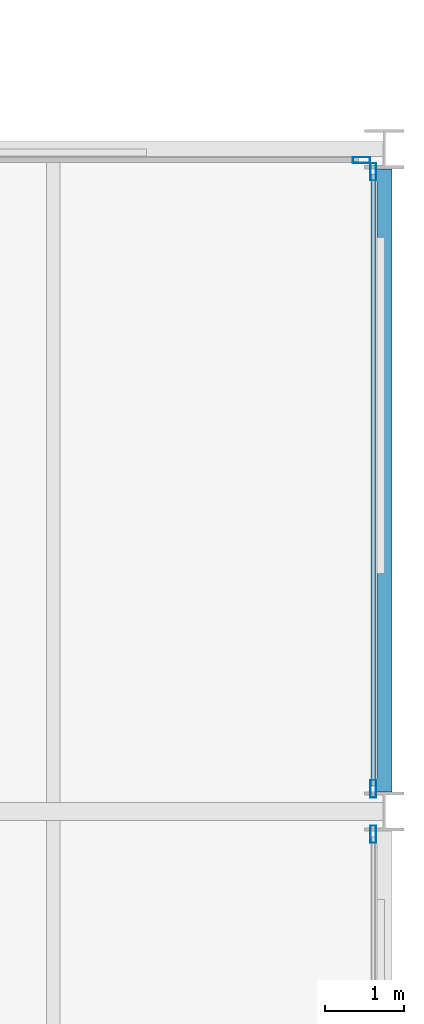
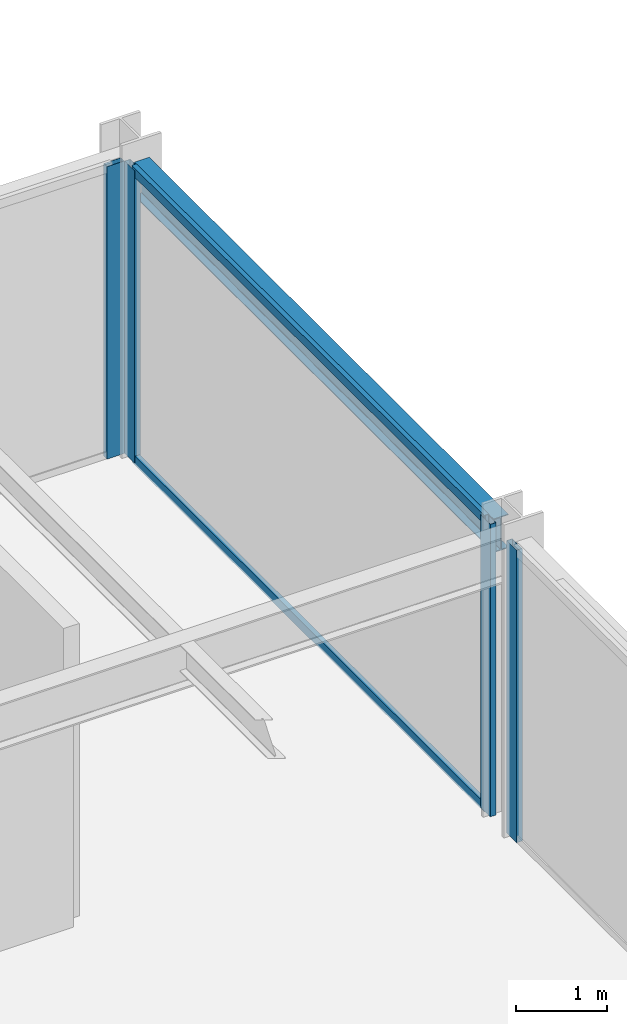
# One storey, part 13 of 24: 6 members, 1 beam, 3 elements without a shape of their own.
"""IFC4 building model written with IfcOpenShell, lengths in metres."""

from ifc_helpers import new_model, si_unit, direction, frame, origin, origin_2d, place, context, subcontext, project, spatial, hollow_rectangle, i_section, extrude, material, layer, layer_set, material_profile, profile_set, type_object, element, aggregate, save


model = new_model("IFC4")

# Units and contexts
model_context = context("Model", 3, precision=1e-05, world=origin(), true_north=direction((0.0, 1.0)))
body_context = subcontext(model_context, "Body", "Model", "MODEL_VIEW")
ifc_project = project(units=[si_unit("LENGTHUNIT", "METRE"), si_unit("AREAUNIT", "SQUARE_METRE"), si_unit("VOLUMEUNIT", "CUBIC_METRE"), si_unit("PLANEANGLEUNIT", "RADIAN"), si_unit("MASSUNIT", "GRAM", prefix="KILO")], contexts=[model_context])

# Site, building, storey
site_placement = place(None, origin())
site = spatial("IfcSite", under=ifc_project, at=site_placement, CompositionType="ELEMENT")
building_placement = place(site_placement, origin())
building = spatial("IfcBuilding", under=site, at=building_placement, Name="Nerrivon Quay Data Exchange", CompositionType="ELEMENT")
storey_placement = place(building_placement, frame((0.0, 0.0, 33.199951171875)))
storey = spatial("IfcBuildingStorey", under=building, at=storey_placement, Name="L07", CompositionType="ELEMENT", Elevation=33.199951171875)

# Beam
ifc_material_1 = material(Name="Steel Grade 350", Category="steel")
ifc_material_profile_1 = material_profile(ifc_material_1, i_section(OverallWidth=0.18994140625, OverallDepth=0.4541015625, WebThickness=0.008544921875, FlangeThickness=0.0126953125, FilletRadius=0.011474609375, at=origin_2d()), Name="460UB67.1")
ifc_profile_set_1 = profile_set([ifc_material_profile_1], Name="Steel Grade 350")
beam_type = type_object("IfcBeamType", Name="BM-SP1-460UB67", PredefinedType="SPANDREL", material=ifc_profile_set_1)
beam_placement = place(storey_placement, frame((50.39990234375, 17.050048828125, 3.697998046875), z_axis=(0.0, 1.0, 0.0), x_axis=(-1.0, 0.0, 0.0)))
element("IfcBeam", 1, at=beam_placement, inside=storey, type_object=beam_type, Name="L07 NS Girder X=50.4 (16.8..25.2)", PredefinedType="SPANDREL", context=body_context, shape_type="SweptSolid", body=[
    extrude(i_section(OverallWidth=0.18994140625, OverallDepth=0.4541015625, WebThickness=0.008544921875, FlangeThickness=0.0126953125, FilletRadius=0.011474609375, at=origin_2d()), origin(), (0.0, 0.0, 1.0), 7.89990234375),
])

# Curtain wall, member
ifc_material_2 = material(Name="Anodised aluminium 6063-T6", Category="aluminium")
ifc_layer = layer(ifc_material_2, 0.219970703125)
ifc_layer_set = layer_set([ifc_layer], Name="Anodised aluminium 6063-T6")
curtain_wall_type = type_object("IfcCurtainWallType", Name="CW-SYS-01", PredefinedType="NOTDEFINED", material=ifc_layer_set)
curtain_wall_1_placement = place(storey_placement, origin())
curtain_wall_1 = element("IfcCurtainWall", 2, at=curtain_wall_1_placement, inside=storey, type_object=curtain_wall_type, Name="L07 Unitised Curtain Wall 30", PredefinedType="NOTDEFINED")
ifc_material_profile_2 = material_profile(ifc_material_2, hollow_rectangle(XDim=0.074951171875, YDim=0.219970703125, WallThickness=0.00390625, at=origin_2d()), Name="ALU-MULL-220x75")
ifc_profile_set_2 = profile_set([ifc_material_profile_2], Name="Anodised aluminium 6063-T6")
member_type_1 = type_object("IfcMemberType", Name="CWM-220x75", PredefinedType="MULLION", material=ifc_profile_set_2)
member_1_placement = place(storey_placement, frame((50.112548828125, 25.06005859375, 0.0), z_axis=(0.0, 0.0, 1.0), x_axis=(0.0, 1.0, 0.0)))
member_1 = element("IfcMember", 3, at=member_1_placement, type_object=member_type_1, Name="CW01 mullion 2", PredefinedType="MULLION", context=body_context, shape_type="SweptSolid", body=[
    extrude(hollow_rectangle(XDim=0.074951171875, YDim=0.219970703125, WallThickness=0.00390625, at=origin_2d()), origin(), (0.0, 0.0, 1.0), 3.925048828125),
])
aggregate(curtain_wall_1, [member_1])

# Curtain wall, members
curtain_wall_2_placement = place(storey_placement, origin())
curtain_wall_2 = element("IfcCurtainWall", 4, at=curtain_wall_2_placement, inside=storey, type_object=curtain_wall_type, Name="L07 Unitised Curtain Wall 31", PredefinedType="NOTDEFINED")
member_2_placement = place(storey_placement, frame((50.260009765625, 24.91259765625, 0.0), z_axis=(0.0, 0.0, 1.0), x_axis=(1.0, 0.0, 0.0)))
member_2 = element("IfcMember", 5, at=member_2_placement, type_object=member_type_1, Name="CW01 mullion 1", PredefinedType="MULLION", context=body_context, shape_type="SweptSolid", body=[
    extrude(hollow_rectangle(XDim=0.074951171875, YDim=0.219970703125, WallThickness=0.00390625, at=origin_2d()), origin(), (0.0, 0.0, 1.0), 3.925048828125),
])
member_3_placement = place(storey_placement, frame((50.260009765625, 17.08740234375, 0.0), z_axis=(0.0, 0.0, 1.0), x_axis=(1.0, 0.0, 0.0)))
member_3 = element("IfcMember", 6, at=member_3_placement, type_object=member_type_1, Name="CW01 mullion 2", PredefinedType="MULLION", context=body_context, shape_type="SweptSolid", body=[
    extrude(hollow_rectangle(XDim=0.074951171875, YDim=0.219970703125, WallThickness=0.00390625, at=origin_2d()), origin(), (0.0, 0.0, 1.0), 3.925048828125),
])

# Curtain wall, member
curtain_wall_3_placement = place(storey_placement, origin())
curtain_wall_3 = element("IfcCurtainWall", 7, at=curtain_wall_3_placement, inside=storey, type_object=curtain_wall_type, Name="L07 Unitised Curtain Wall 32", PredefinedType="NOTDEFINED")
member_4_placement = place(storey_placement, frame((50.260009765625, 16.512451171875, 0.0), z_axis=(0.0, 0.0, 1.0), x_axis=(1.0, 0.0, 0.0)))
member_4 = element("IfcMember", 8, at=member_4_placement, type_object=member_type_1, Name="CW01 mullion 1", PredefinedType="MULLION", context=body_context, shape_type="SweptSolid", body=[
    extrude(hollow_rectangle(XDim=0.074951171875, YDim=0.219970703125, WallThickness=0.00390625, at=origin_2d()), origin(), (0.0, 0.0, 1.0), 3.925048828125),
])
aggregate(curtain_wall_3, [member_4])

# Member
ifc_material_profile_3 = material_profile(ifc_material_2, hollow_rectangle(XDim=0.06005859375, YDim=0.1201171875, WallThickness=0.003173828125, at=origin_2d()), Name="ALU-TRAN-120x60")
ifc_profile_set_3 = profile_set([ifc_material_profile_3], Name="Anodised aluminium 6063-T6")
member_type_2 = type_object("IfcMemberType", Name="CWT-120x60", PredefinedType="USERDEFINED", material=ifc_profile_set_3)
member_5_placement = place(storey_placement, frame((50.260009765625, 24.875, 0.032470703125), z_axis=(0.0, -1.0, 0.0), x_axis=(1.0, 0.0, 0.0)))
member_5 = element("IfcMember", 9, at=member_5_placement, type_object=member_type_2, Name="CW01 transom 1.1", ObjectType="TRANSOM", PredefinedType="USERDEFINED", context=body_context, shape_type="SweptSolid", body=[
    extrude(hollow_rectangle(XDim=0.06005859375, YDim=0.1201171875, WallThickness=0.003173828125, at=origin_2d()), origin(), (0.0, 0.0, 1.0), 7.75),
])

member_6_placement = place(storey_placement, frame((50.260009765625, 24.875, 3.892578125), z_axis=(0.0, -1.0, 0.0), x_axis=(1.0, 0.0, 0.0)))
member_6 = element("IfcMember", 10, at=member_6_placement, type_object=member_type_2, Name="CW01 transom 1.2", ObjectType="TRANSOM", PredefinedType="USERDEFINED", context=body_context, shape_type="SweptSolid", body=[
    extrude(hollow_rectangle(XDim=0.06005859375, YDim=0.1201171875, WallThickness=0.003173828125, at=origin_2d()), origin(), (0.0, 0.0, 1.0), 7.75),
])

aggregate(curtain_wall_2, [member_2, member_3, member_5, member_6])

save(model, "model.ifc")
